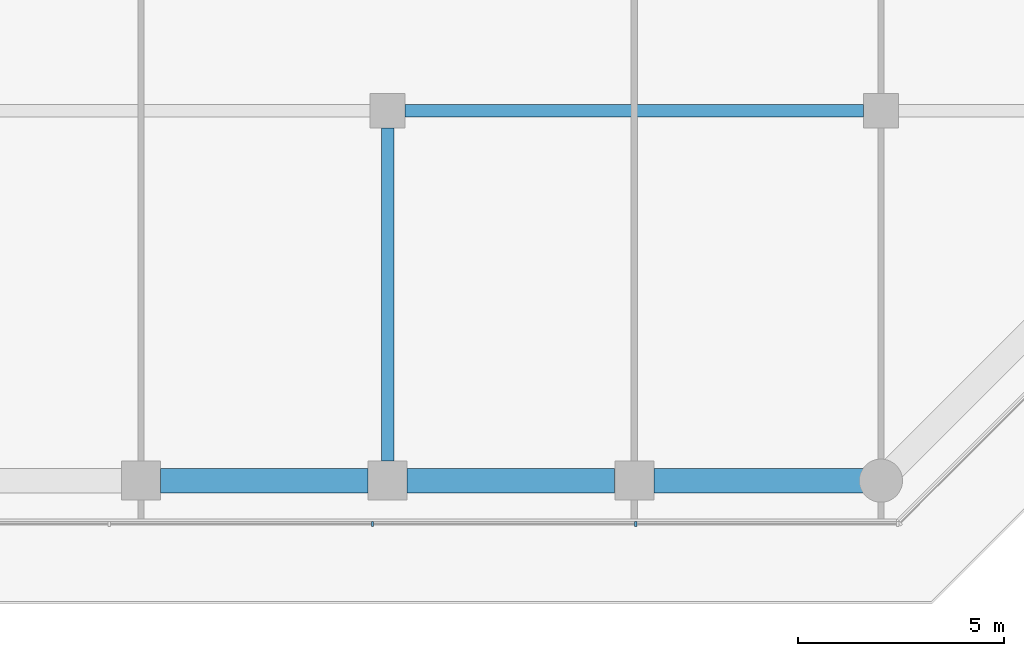
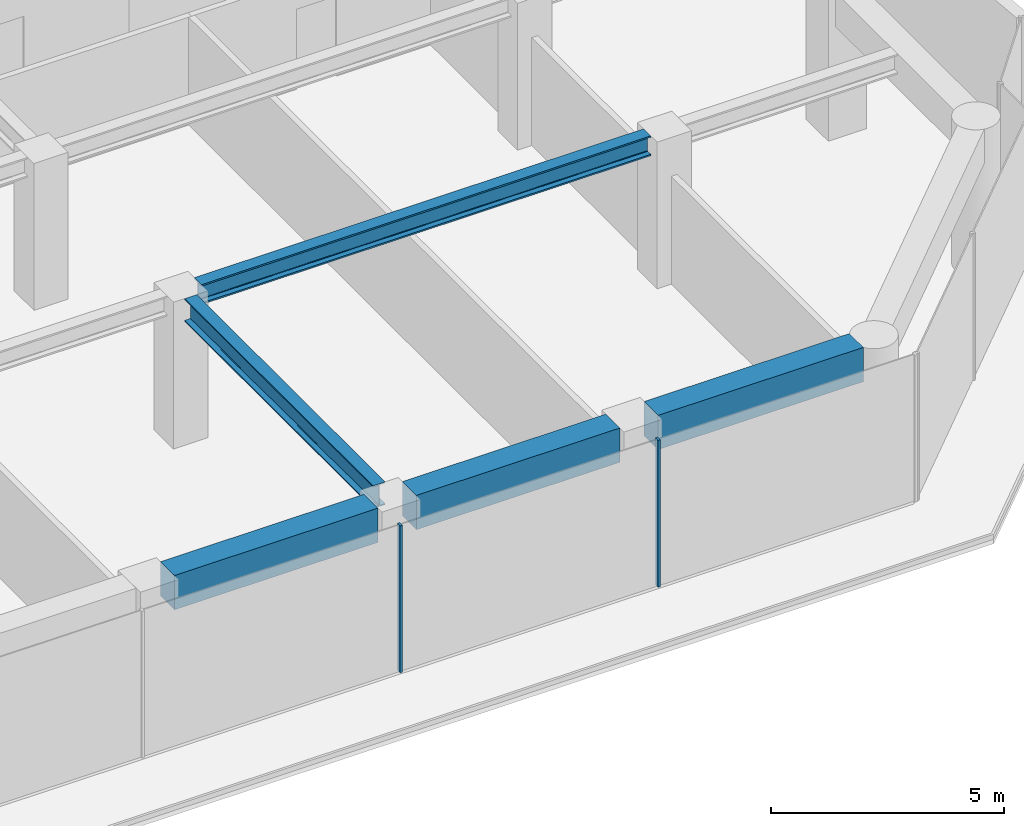
# One storey, part 8 of 28: 5 beams, 2 members, 1 element without a shape of its own.
"""IFC4 building model written with IfcOpenShell, lengths in metres."""

from ifc_helpers import new_model, si_unit, direction, frame, origin, origin_2d, place, context, subcontext, project, spatial, rectangle, i_section, extrude, material, layer, layer_set, material_profile, profile_set, type_object, element, aggregate, save


model = new_model("IFC4")

# Units and contexts
model_context = context("Model", 3, precision=1e-05, world=origin(), true_north=direction((0.0, 1.0)))
body_context = subcontext(model_context, "Body", "Model", "MODEL_VIEW")
ifc_project = project(units=[si_unit("LENGTHUNIT", "METRE"), si_unit("AREAUNIT", "SQUARE_METRE"), si_unit("VOLUMEUNIT", "CUBIC_METRE"), si_unit("PLANEANGLEUNIT", "RADIAN"), si_unit("MASSUNIT", "GRAM", prefix="KILO")], contexts=[model_context])

# Site, building, storey
site_placement = place(None, origin())
site = spatial("IfcSite", under=ifc_project, at=site_placement, CompositionType="ELEMENT")
building_placement = place(site_placement, origin())
building = spatial("IfcBuilding", under=site, at=building_placement, Name="Welwitschia Terrace Campus", CompositionType="ELEMENT")
storey_placement = place(building_placement, frame((0.0, 0.0, 71.0)))
storey = spatial("IfcBuildingStorey", under=building, at=storey_placement, Name="L16", CompositionType="ELEMENT", Elevation=71.0)

# Beam
ifc_material_1 = material(Name="Steel S355", Category="steel")
ifc_material_profile_1 = material_profile(ifc_material_1, i_section(OverallWidth=0.305908203125, OverallDepth=0.52392578125, WebThickness=0.02099609375, FlangeThickness=0.0400390625, FilletRadius=0.027099609375, at=origin_2d()))
ifc_profile_set_1 = profile_set([ifc_material_profile_1], Name="Steel S355")
beam_type_1 = type_object("IfcBeamType", Name="Interior girder HE 500 M", PredefinedType="BEAM", material=ifc_profile_set_1)
beam_1_placement = place(storey_placement, frame((48.425537109375, 5.0, 3.587890625), z_axis=(1.0, 0.0, 0.0), x_axis=(0.0, 1.0, 0.0)))
element("IfcBeam", 1, at=beam_1_placement, inside=storey, type_object=beam_type_1, Name="Girder GB2", PredefinedType="BEAM", context=body_context, shape_type="SweptSolid", body=[
    extrude(i_section(OverallWidth=0.305908203125, OverallDepth=0.52392578125, WebThickness=0.02099609375, FlangeThickness=0.0400390625, FilletRadius=0.027099609375, at=origin_2d()), origin(), (0.0, 0.0, 1.0), 11.14892578125),
])

# Curtain wall, members
ifc_material_2 = material(Name="Bronze anodised aluminium", Category="aluminium")
ifc_layer = layer(ifc_material_2, 0.1201171875)
ifc_layer_set = layer_set([ifc_layer], Name="Bronze anodised aluminium")
curtain_wall_type = type_object("IfcCurtainWallType", Name="Curtain wall CW2 tower 6000", PredefinedType="NOTDEFINED", material=ifc_layer_set)
curtain_wall_placement = place(storey_placement, origin())
curtain_wall = element("IfcCurtainWall", 2, at=curtain_wall_placement, inside=storey, type_object=curtain_wall_type, Name="CW L16.5.0", PredefinedType="NOTDEFINED")
ifc_material_3 = material(Name="Bronze anodised aluminium", Category="aluminium")
ifc_material_profile_2 = material_profile(ifc_material_3, rectangle(XDim=0.1201171875, YDim=0.06005859375, at=origin_2d()))
ifc_profile_set_2 = profile_set([ifc_material_profile_2], Name="Bronze anodised aluminium")
member_type = type_object("IfcMemberType", Name="Mullion 60x120", PredefinedType="MULLION", material=ifc_profile_set_2)
member_1_placement = place(storey_placement, frame((47.631591796875, -5.05810546875, 0.0), z_axis=(0.0, 0.0, 1.0), x_axis=(0.0, 1.0, 0.0)))
member_1 = element("IfcMember", 3, at=member_1_placement, type_object=member_type, Name="Mullion L16.5.0.3", PredefinedType="MULLION", context=body_context, shape_type="SweptSolid", body=[
    extrude(rectangle(XDim=0.1201171875, YDim=0.06005859375, at=origin_2d()), origin(), (0.0, 0.0, 1.0), 3.85009765625),
])
member_2_placement = place(storey_placement, frame((54.034912109375, -5.05810546875, 0.0), z_axis=(0.0, 0.0, 1.0), x_axis=(0.0, 1.0, 0.0)))
member_2 = element("IfcMember", 4, at=member_2_placement, type_object=member_type, Name="Mullion L16.5.0.4", PredefinedType="MULLION", context=body_context, shape_type="SweptSolid", body=[
    extrude(rectangle(XDim=0.1201171875, YDim=0.06005859375, at=origin_2d()), origin(), (0.0, 0.0, 1.0), 3.85009765625),
])
aggregate(curtain_wall, [member_1, member_2])

# Beams
ifc_material_4 = material(Name="Steel S355", Category="steel")
ifc_material_profile_3 = material_profile(ifc_material_4, i_section(OverallWidth=0.300048828125, OverallDepth=0.60009765625, WebThickness=0.015380859375, FlangeThickness=0.030029296875, FilletRadius=0.027099609375, at=origin_2d()))
ifc_profile_set_3 = profile_set([ifc_material_profile_3], Name="Steel S355")
beam_type_2 = type_object("IfcBeamType", Name="Primary beam HE 600 B", PredefinedType="BEAM", material=ifc_profile_set_3)
beam_2_placement = place(storey_placement, frame((48.0, -3.5244140625, 3.550048828125), z_axis=(0.0, 1.0, 0.0), x_axis=(-1.0, 0.0, 0.0)))
element("IfcBeam", 5, at=beam_2_placement, inside=storey, type_object=beam_type_2, Name="Primary beam PB2", PredefinedType="BEAM", context=body_context, shape_type="SweptSolid", body=[
    extrude(i_section(OverallWidth=0.300048828125, OverallDepth=0.60009765625, WebThickness=0.015380859375, FlangeThickness=0.030029296875, FilletRadius=0.027099609375, at=origin_2d()), origin(), (0.0, 0.0, 1.0), 8.098876953125),
])
ifc_material_5 = material(Name="Concrete C60/75", Category="concrete")
ifc_material_profile_4 = material_profile(ifc_material_5, rectangle(XDim=0.60009765625, YDim=0.89990234375, at=origin_2d()))
ifc_profile_set_4 = profile_set([ifc_material_profile_4], Name="Concrete C60/75")
beam_type_3 = type_object("IfcBeamType", Name="Ring spandrel 600x900", PredefinedType="SPANDREL", material=ifc_profile_set_4)
for number, where, z_axis, x_axis, name in (
    (6, (42.4755859375, -4.0, 3.39990234375), (1.0, 0.0, 0.0), (0.0, 1.0, 0.0), "Spandrel SP2"),
    (7, (48.4755859375, -4.0, 3.39990234375), (1.0, 0.0, 0.0), (0.0, 1.0, 0.0), "Spandrel SP2"),
):
    element("IfcBeam", number, at=place(storey_placement, frame(where, z_axis=z_axis, x_axis=x_axis)), inside=storey, type_object=beam_type_3, Name=name, PredefinedType="SPANDREL", context=body_context, shape_type="SweptSolid", body=[
        extrude(rectangle(XDim=0.60009765625, YDim=0.89990234375, at=origin_2d()), origin(), (0.0, 0.0, 1.0), 5.048828125),
    ])
beam_3_placement = place(storey_placement, frame((54.4755859375, -4.0, 3.39990234375), z_axis=(1.0, 0.0, 0.0), x_axis=(0.0, 1.0, 0.0)))
element("IfcBeam", 8, at=beam_3_placement, inside=storey, type_object=beam_type_3, Name="Spandrel SP2", PredefinedType="SPANDREL", context=body_context, shape_type="SweptSolid", body=[
    extrude(rectangle(XDim=0.60009765625, YDim=0.89990234375, at=origin_2d()), origin(), (0.0, 0.0, 1.0), 5.093017578125),
])

save(model, "model.ifc")
